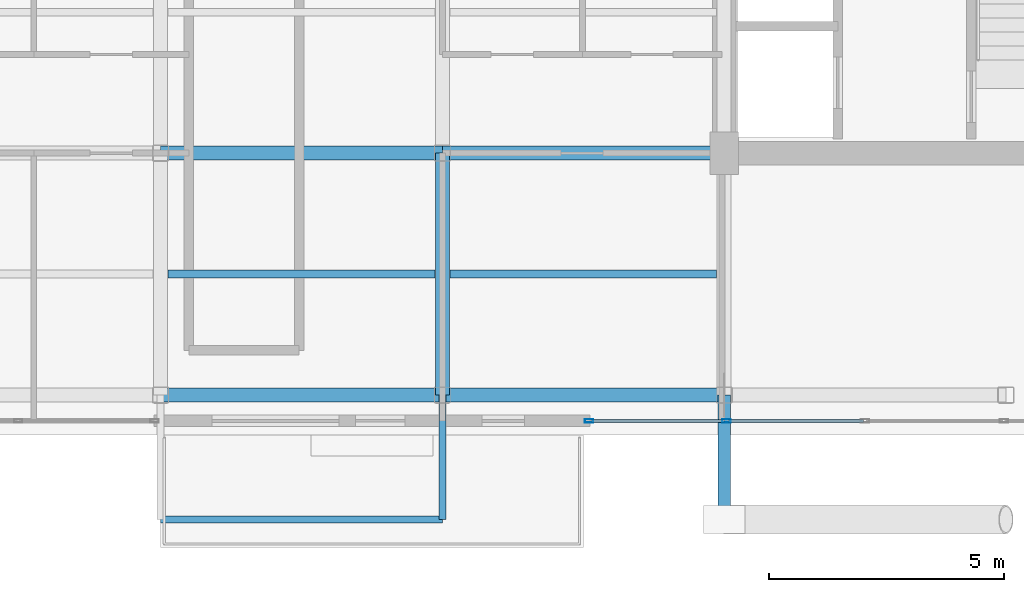
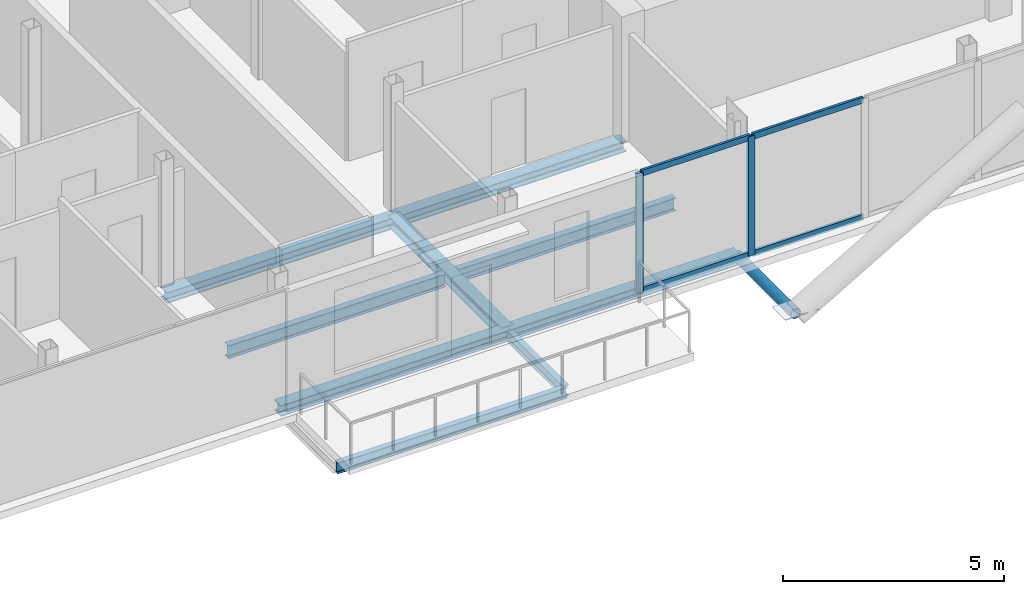
# One storey, part 4 of 18: 9 beams, 7 members, 1 element without a shape of its own.
"""IFC4 building model written with IfcOpenShell, lengths in metres."""

from ifc_helpers import new_model, si_unit, direction, frame, origin, origin_2d, place, context, subcontext, project, spatial, hollow_rectangle, hollow_circle, i_section, extrude, material, layer, layer_set, material_profile, profile_set, type_object, element, aggregate, save


model = new_model("IFC4")

# Units and contexts
model_context = context("Model", 3, precision=1e-05, world=origin(), true_north=direction((0.0, 1.0)))
body_context = subcontext(model_context, "Body", "Model", "MODEL_VIEW")
ifc_project = project(units=[si_unit("LENGTHUNIT", "METRE"), si_unit("AREAUNIT", "SQUARE_METRE"), si_unit("VOLUMEUNIT", "CUBIC_METRE"), si_unit("PLANEANGLEUNIT", "RADIAN"), si_unit("MASSUNIT", "GRAM", prefix="KILO"), si_unit("THERMODYNAMICTEMPERATUREUNIT", "KELVIN"), si_unit("POWERUNIT", "WATT")], contexts=[model_context])

# Site, building, storey
site_placement = place(None, origin())
site = spatial("IfcSite", under=ifc_project, at=site_placement, CompositionType="ELEMENT")
building_placement = place(site_placement, origin())
building = spatial("IfcBuilding", under=site, at=building_placement, Name="Svarakhadi Broadcast Tower", CompositionType="ELEMENT")
storey_placement = place(building_placement, frame((0.0, 0.0, 253.699951171875)))
storey = spatial("IfcBuildingStorey", under=building, at=storey_placement, Name="L63", CompositionType="ELEMENT", Elevation=253.699951171875)

# Beams
ifc_material_1 = material(Name="Steel S355J2 (IS 2062 E350C)", Category="steel")
ifc_material_profile_1 = material_profile(ifc_material_1, i_section(OverallWidth=0.169921875, OverallDepth=0.360107421875, WebThickness=0.008056640625, FlangeThickness=0.0126953125, FilletRadius=0.01806640625, at=origin_2d()), Name="NPB 360x170x57")
ifc_profile_set_1 = profile_set([ifc_material_profile_1], Name="Steel S355J2 (IS 2062 E350C)")
beam_type_1 = type_object("IfcBeamType", Name="Beam_NPB360", PredefinedType="BEAM", material=ifc_profile_set_1)
for number, where, z_axis, x_axis, name in (
    (1, (12.159912109375, 3.425048828125, -0.3798828125), (1.0, 0.0, 0.0), (0.0, 1.0, 0.0), "L63 Secondary Composite Beam SB007"),
    (2, (18.159912109375, 3.425048828125, -0.3798828125), (1.0, 0.0, 0.0), (0.0, 1.0, 0.0), "L63 Secondary Composite Beam SB010"),
):
    element("IfcBeam", number, at=place(storey_placement, frame(where, z_axis=z_axis, x_axis=x_axis)), inside=storey, type_object=beam_type_1, Name=name, PredefinedType="BEAM", context=body_context, shape_type="SweptSolid", body=[
        extrude(i_section(OverallWidth=0.169921875, OverallDepth=0.360107421875, WebThickness=0.008056640625, FlangeThickness=0.0126953125, FilletRadius=0.01806640625, at=origin_2d()), origin(), (0.0, 0.0, 1.0), 5.68017578125),
    ])

# Curtain wall, members
ifc_material_2 = material(Name="Anodised Bronze Aluminium AA 6063-T6", Category="aluminium")
ifc_layer = layer(ifc_material_2, 0.179931640625)
ifc_layer_set = layer_set([ifc_layer], Name="Anodised Bronze Aluminium AA 6063-T6")
curtain_wall_type = type_object("IfcCurtainWallType", Name="CW_Sys_05", PredefinedType="NOTDEFINED", material=ifc_layer_set)
curtain_wall_placement = place(storey_placement, origin())
curtain_wall = element("IfcCurtainWall", 3, at=curtain_wall_placement, inside=storey, type_object=curtain_wall_type, Name="L63 South Curtain Wall 16", PredefinedType="NOTDEFINED")
ifc_material_profile_2 = material_profile(ifc_material_2, hollow_rectangle(XDim=0.070068359375, YDim=0.179931640625, WallThickness=0.005615234375, at=origin_2d()), Name="ALU MULLION 180x70x6")
ifc_profile_set_2 = profile_set([ifc_material_profile_2], Name="Anodised Bronze Aluminium AA 6063-T6")
member_type_1 = type_object("IfcMemberType", Name="CW_Sys_05_Mul", PredefinedType="MULLION", material=ifc_profile_set_2)
member_1_placement = place(storey_placement, frame((24.044921875, 0.300048828125, 0.0), z_axis=(0.0, 0.0, 1.0), x_axis=(0.0, -1.0, 0.0)))
member_1 = element("IfcMember", 4, at=member_1_placement, type_object=member_type_1, Name="CW-05 mullion 4", PredefinedType="MULLION", context=body_context, shape_type="SweptSolid", body=[
    extrude(hollow_rectangle(XDim=0.070068359375, YDim=0.179931640625, WallThickness=0.005615234375, at=origin_2d()), origin(), (0.0, 0.0, 1.0), 3.300048828125),
])
member_2_placement = place(storey_placement, frame((21.125, 0.300048828125, 0.0), z_axis=(0.0, 0.0, 1.0), x_axis=(0.0, -1.0, 0.0)))
member_2 = element("IfcMember", 5, at=member_2_placement, type_object=member_type_1, Name="CW-05 mullion 5", PredefinedType="MULLION", context=body_context, shape_type="SweptSolid", body=[
    extrude(hollow_rectangle(XDim=0.070068359375, YDim=0.179931640625, WallThickness=0.005615234375, at=origin_2d()), origin(), (0.0, 0.0, 1.0), 3.300048828125),
])
ifc_material_profile_3 = material_profile(ifc_material_2, hollow_rectangle(XDim=0.06494140625, YDim=0.1650390625, WallThickness=0.0048828125, at=origin_2d()), Name="ALU TRANSOM 165x65x5")
ifc_profile_set_3 = profile_set([ifc_material_profile_3], Name="Anodised Bronze Aluminium AA 6063-T6")
member_type_2 = type_object("IfcMemberType", Name="CW_Sys_05_Trn", PredefinedType="USERDEFINED", material=ifc_profile_set_3)
member_3_placement = place(storey_placement, frame((26.965087890625, 0.300048828125, 0.032470703125), z_axis=(-1.0, 0.0, 0.0), x_axis=(0.0, -1.0, 0.0)))
member_3 = element("IfcMember", 6, at=member_3_placement, type_object=member_type_2, Name="CW-05 transom 3.1", ObjectType="TRANSOM", PredefinedType="USERDEFINED", context=body_context, shape_type="SweptSolid", body=[
    extrude(hollow_rectangle(XDim=0.06494140625, YDim=0.1650390625, WallThickness=0.0048828125, at=origin_2d()), origin(), (0.0, 0.0, 1.0), 2.885009765625),
])
member_4_placement = place(storey_placement, frame((26.965087890625, 0.300048828125, 3.267578125), z_axis=(-1.0, 0.0, 0.0), x_axis=(0.0, -1.0, 0.0)))
member_4 = element("IfcMember", 7, at=member_4_placement, type_object=member_type_2, Name="CW-05 transom 3.2", ObjectType="TRANSOM", PredefinedType="USERDEFINED", context=body_context, shape_type="SweptSolid", body=[
    extrude(hollow_rectangle(XDim=0.06494140625, YDim=0.1650390625, WallThickness=0.0048828125, at=origin_2d()), origin(), (0.0, 0.0, 1.0), 2.885009765625),
])
member_5_placement = place(storey_placement, frame((24.010009765625, 0.300048828125, 0.032470703125), z_axis=(-1.0, 0.0, 0.0), x_axis=(0.0, -1.0, 0.0)))
member_5 = element("IfcMember", 8, at=member_5_placement, type_object=member_type_2, Name="CW-05 transom 4.1", ObjectType="TRANSOM", PredefinedType="USERDEFINED", context=body_context, shape_type="SweptSolid", body=[
    extrude(hollow_rectangle(XDim=0.06494140625, YDim=0.1650390625, WallThickness=0.0048828125, at=origin_2d()), origin(), (0.0, 0.0, 1.0), 2.85009765625),
])
member_6_placement = place(storey_placement, frame((24.010009765625, 0.300048828125, 3.267578125), z_axis=(-1.0, 0.0, 0.0), x_axis=(0.0, -1.0, 0.0)))
member_6 = element("IfcMember", 9, at=member_6_placement, type_object=member_type_2, Name="CW-05 transom 4.2", ObjectType="TRANSOM", PredefinedType="USERDEFINED", context=body_context, shape_type="SweptSolid", body=[
    extrude(hollow_rectangle(XDim=0.06494140625, YDim=0.1650390625, WallThickness=0.0048828125, at=origin_2d()), origin(), (0.0, 0.0, 1.0), 2.85009765625),
])
aggregate(curtain_wall, [member_1, member_2, member_3, member_4, member_5, member_6])

# Member
ifc_material_3 = material(Name="Steel S460ML (IS 2062 E450BR)", Category="steel")
ifc_material_profile_4 = material_profile(ifc_material_3, hollow_circle(Radius=0.136474609375, WallThickness=0.012451171875, at=origin_2d()), Name="CHS 273x12.5")
ifc_profile_set_4 = profile_set([ifc_material_profile_4], Name="Steel S460ML (IS 2062 E450BR)")
member_type_3 = type_object("IfcMemberType", Name="Exo_Radial_Strut_Z3", PredefinedType="STRUT", material=ifc_profile_set_4)
member_7_placement = place(storey_placement, frame((24.0, -1.800048828125, -0.33642578125), z_axis=(0.0, 1.0, 0.0), x_axis=(-1.0, 0.0, 0.0)))
element("IfcMember", 10, at=member_7_placement, inside=storey, type_object=member_type_3, Name="L63 Exoskeleton Radial Tie Strut S01", PredefinedType="STRUT", context=body_context, shape_type="SweptSolid", body=[
    extrude(hollow_circle(Radius=0.136474609375, WallThickness=0.012451171875, at=origin_2d()), origin(), (0.0, 0.0, 1.0), 2.650146484375),
])

# Beams
ifc_material_profile_5 = material_profile(ifc_material_1, i_section(OverallWidth=0.300048828125, OverallDepth=0.300048828125, WebThickness=0.010986328125, FlangeThickness=0.01904296875, FilletRadius=0.027099609375, at=origin_2d()), Name="WPB 300x300x117")
ifc_profile_set_5 = profile_set([ifc_material_profile_5], Name="Steel S355J2 (IS 2062 E350C)")
beam_type_2 = type_object("IfcBeamType", Name="Girder_WPB300", PredefinedType="USERDEFINED", material=ifc_profile_set_5)
for number, where, z_axis, x_axis, name in (
    (11, (12.0, 0.85009765625, -0.349853515625), (1.0, 0.0, 0.0), (0.0, 1.0, 0.0), "L63 Primary E-W Girder G005"),
    (12, (18.0, 0.85009765625, -0.349853515625), (1.0, 0.0, 0.0), (0.0, 1.0, 0.0), "L63 Primary E-W Girder G006"),
    (13, (12.0, 6.0, -0.349853515625), (1.0, 0.0, 0.0), (0.0, 1.0, 0.0), "L63 Primary E-W Girder G010"),
    (14, (18.0, 6.0, -0.349853515625), (1.0, 0.0, 0.0), (0.0, 1.0, 0.0), "L63 Primary E-W Girder G011"),
):
    element("IfcBeam", number, at=place(storey_placement, frame(where, z_axis=z_axis, x_axis=x_axis)), inside=storey, type_object=beam_type_2, Name=name, ObjectType="GIRDER", PredefinedType="USERDEFINED", context=body_context, shape_type="SweptSolid", body=[
        extrude(i_section(OverallWidth=0.300048828125, OverallDepth=0.300048828125, WebThickness=0.010986328125, FlangeThickness=0.01904296875, FilletRadius=0.027099609375, at=origin_2d()), origin(), (0.0, 0.0, 1.0), 6.0),
    ])
beam_1_placement = place(storey_placement, frame((18.0, 0.85009765625, -0.349853515625), z_axis=(0.0, 1.0, 0.0), x_axis=(-1.0, 0.0, 0.0)))
element("IfcBeam", 15, at=beam_1_placement, inside=storey, type_object=beam_type_2, Name="L63 Primary N-S Girder G036", ObjectType="GIRDER", PredefinedType="USERDEFINED", context=body_context, shape_type="SweptSolid", body=[
    extrude(i_section(OverallWidth=0.300048828125, OverallDepth=0.300048828125, WebThickness=0.010986328125, FlangeThickness=0.01904296875, FilletRadius=0.027099609375, at=origin_2d()), origin(), (0.0, 0.0, 1.0), 5.14990234375),
])
ifc_material_profile_6 = material_profile(ifc_material_1, i_section(OverallWidth=0.14990234375, OverallDepth=0.300048828125, WebThickness=0.007080078125, FlangeThickness=0.0107421875, FilletRadius=0.014892578125, at=origin_2d()), Name="NPB 300x150x37")
ifc_profile_set_6 = profile_set([ifc_material_profile_6], Name="Steel S355J2 (IS 2062 E350C)")
beam_type_3 = type_object("IfcBeamType", Name="Spandrel_NPB300", PredefinedType="SPANDREL", material=ifc_profile_set_6)
beam_2_placement = place(storey_placement, frame((18.0, 0.85009765625, -0.375), z_axis=(0.0, -1.0, 0.0), x_axis=(1.0, 0.0, 0.0)))
element("IfcBeam", 16, at=beam_2_placement, inside=storey, type_object=beam_type_3, Name="L63 Balcony Cantilever Bracket 1B", PredefinedType="SPANDREL", context=body_context, shape_type="SweptSolid", body=[
    extrude(i_section(OverallWidth=0.14990234375, OverallDepth=0.300048828125, WebThickness=0.007080078125, FlangeThickness=0.0107421875, FilletRadius=0.014892578125, at=origin_2d()), origin(), (0.0, 0.0, 1.0), 2.650146484375),
])
beam_3_placement = place(storey_placement, frame((12.0, -1.800048828125, -0.375), z_axis=(1.0, 0.0, 0.0), x_axis=(0.0, 1.0, 0.0)))
element("IfcBeam", 17, at=beam_3_placement, inside=storey, type_object=beam_type_3, Name="L63 Balcony Outer Spandrel 1F", PredefinedType="SPANDREL", context=body_context, shape_type="SweptSolid", body=[
    extrude(i_section(OverallWidth=0.14990234375, OverallDepth=0.300048828125, WebThickness=0.007080078125, FlangeThickness=0.0107421875, FilletRadius=0.014892578125, at=origin_2d()), origin(), (0.0, 0.0, 1.0), 6.0),
])

save(model, "model.ifc")
